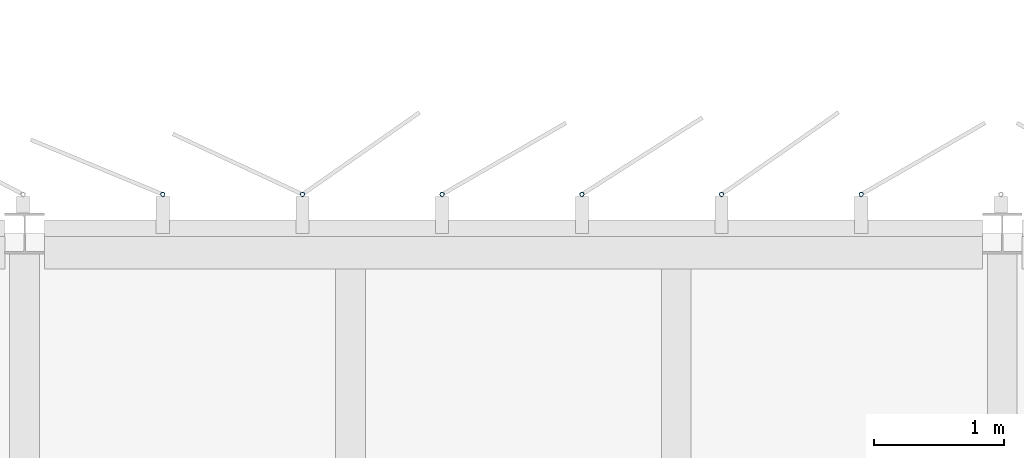
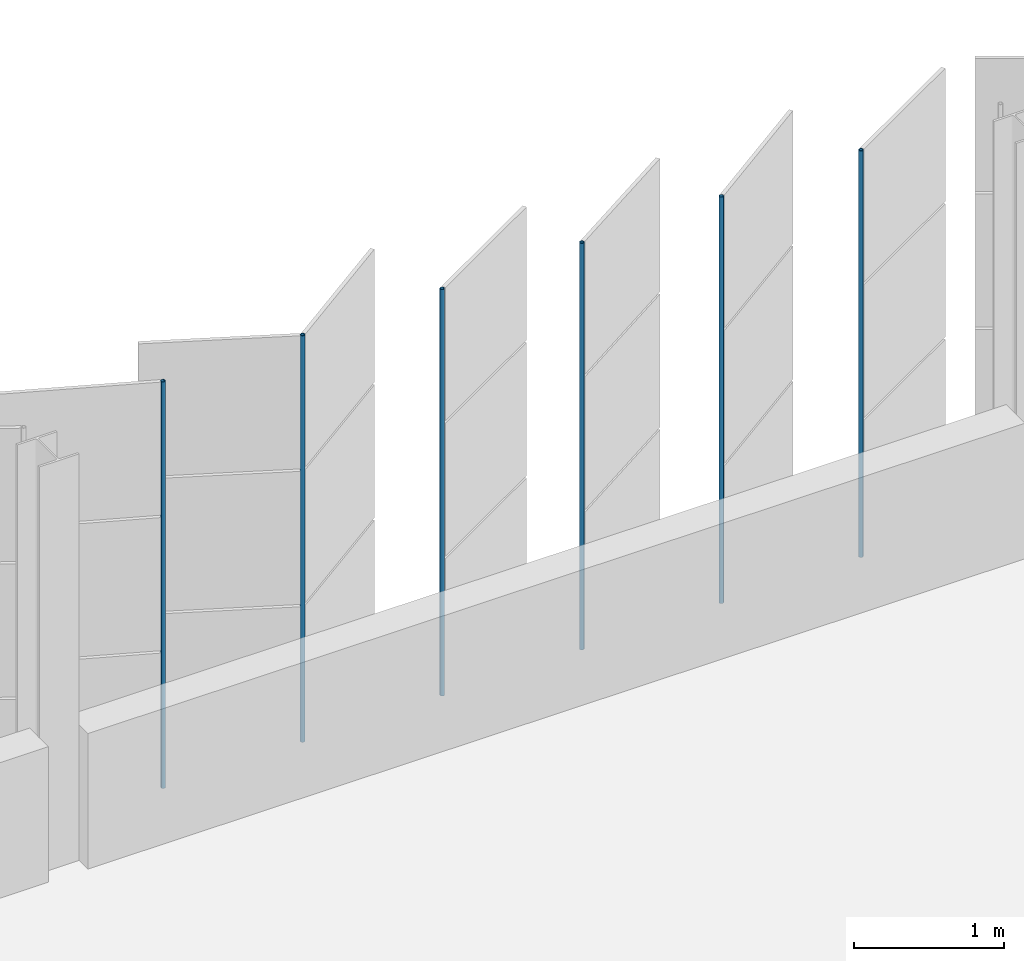
# One storey, part 152 of 214: 6 discrete accessories.
"""IFC4 building model written with IfcOpenShell, lengths in metres."""

import ifcopenshell
import ifcopenshell.guid

model = None  # the IFC model being written
_history = None  # IfcOwnerHistory: only IFC2X3 demands one
_inside = {}  # id of a spatial element -> (the spatial element, [elements in it])
_under = {}  # id of a project, library or spatial element -> (it, [spatial elements below it])
_declared = {}  # id of a project -> (the project, [libraries it declares])
_typed = {}  # id of a type object -> (the type object, [elements of that type])
_made_of = {}  # id of a material, layer set ... -> (it, [elements and type objects made of it])


def new_model(schema):
    """Start an empty IFC model of exactly this schema.

    Asked for "IFC4X3", IfcOpenShell would pick the latest addendum, in which some entities
    have other attributes; the version numbers below select the first issue.
    IFC2X3 requires an IfcOwnerHistory on every rooted entity: one is made here for all.
    """
    global model, _history
    if schema == "IFC4X3":
        model = ifcopenshell.file(schema_version=(4, 3, 0, 0))
    else:
        model = ifcopenshell.file(schema=schema)
    _inside.clear()
    _under.clear()
    _declared.clear()
    _typed.clear()
    _made_of.clear()
    _history = None
    if model.schema == "IFC2X3":
        org = make("IfcOrganization", Name="unknown")
        user = make(
            "IfcPersonAndOrganization",
            ThePerson=make("IfcPerson", FamilyName="unknown"),
            TheOrganization=org,
        )
        app = make(
            "IfcApplication",
            ApplicationDeveloper=org,
            Version="unknown",
            ApplicationFullName="unknown",
            ApplicationIdentifier="unknown",
        )
        _history = make(
            "IfcOwnerHistory",
            OwningUser=user,
            OwningApplication=app,
            ChangeAction="ADDED",
            CreationDate=0,
        )
    return model


def make(cls, **values):
    """One entity of the class cls with the attributes given. An attribute that is None is left unset."""
    return model.create_entity(
        cls, **{name: value for name, value in values.items() if value is not None}
    )


def rooted(cls, **values):
    """An entity with a GlobalId (a new one), such as an element, a storey or a relation."""
    return make(cls, GlobalId=ifcopenshell.guid.new(), OwnerHistory=_history, **values)


def si_unit(unit_type, name, prefix=None):
    """IfcSIUnit, for example si_unit("LENGTHUNIT", "METRE", prefix="MILLI")."""
    return make("IfcSIUnit", UnitType=unit_type, Prefix=prefix, Name=name)


def assignment(units):
    """IfcUnitAssignment: the units of a project."""
    return None if units is None else make("IfcUnitAssignment", Units=units)


def point(xyz):
    """IfcCartesianPoint."""
    return None if xyz is None else make("IfcCartesianPoint", Coordinates=xyz)


def direction(xyz):
    """IfcDirection."""
    return None if xyz is None else make("IfcDirection", DirectionRatios=xyz)


def frame(location, z_axis=None, x_axis=None):
    """IfcAxis2Placement3D, a coordinate frame: its origin and axes. An axis left out is left unset."""
    return make(
        "IfcAxis2Placement3D",
        Location=point(location),
        Axis=direction(z_axis),
        RefDirection=direction(x_axis),
    )


def frame_2d(location, x_axis=None):
    """IfcAxis2Placement2D, a coordinate frame in the plane: its origin and x axis."""
    return make(
        "IfcAxis2Placement2D", Location=point(location), RefDirection=direction(x_axis)
    )


def origin():
    """The frame at (0, 0, 0) with its axes left unset."""
    return frame((0.0, 0.0, 0.0))


def origin_2d():
    """The frame at (0, 0) in the plane with its x axis left unset."""
    return frame_2d((0.0, 0.0))


def place(relative_to, where):
    """IfcLocalPlacement: puts the frame where relative to a parent placement (None: the world)."""
    return make(
        "IfcLocalPlacement", PlacementRelTo=relative_to, RelativePlacement=where
    )


def context(
    kind, dimensions, precision=None, world=None, true_north=None, identifier=None
):
    """IfcGeometricRepresentationContext, for example the 3D "Model" context."""
    return make(
        "IfcGeometricRepresentationContext",
        ContextIdentifier=identifier,
        ContextType=kind,
        CoordinateSpaceDimension=dimensions,
        Precision=precision,
        WorldCoordinateSystem=world,
        TrueNorth=true_north,
    )


def subcontext(parent, identifier, kind, view, scale=None):
    """IfcGeometricRepresentationSubContext, for example "Body" below "Model"."""
    return make(
        "IfcGeometricRepresentationSubContext",
        ContextIdentifier=identifier,
        ContextType=kind,
        ParentContext=parent,
        TargetScale=scale,
        TargetView=view,
    )


def project(units=None, contexts=None):
    """IfcProject with its units and contexts."""
    return rooted(
        "IfcProject",
        Name="project",
        RepresentationContexts=contexts,
        UnitsInContext=assignment(units),
    )


def spatial(cls, under=None, at=None, **own):
    """A site, building, storey or space (cls), placed at a placement, below another one or the project."""
    s = rooted(cls, ObjectPlacement=at, **own)
    if under is not None:
        _under.setdefault(under.id(), (under, []))[1].append(s)
    return s


def profile(cls, at=None, kind="AREA", **sizes):
    """A parametric profile (cls). Its sizes go by their IFC names, for example OverallWidth=200.0."""
    return make(cls, ProfileType=kind, Position=at, **sizes)


def hollow_circle(**sizes):
    """IfcCircleHollowProfileDef."""
    return profile("IfcCircleHollowProfileDef", **sizes)


def extrude(swept, where, along, depth):
    """IfcExtrudedAreaSolid: the profile swept, set in the frame where, extruded along a direction by depth."""
    return make(
        "IfcExtrudedAreaSolid",
        SweptArea=swept,
        Position=where,
        ExtrudedDirection=direction(along),
        Depth=depth,
    )


def shape(context_of_items, identifier, shape_type, items):
    """IfcShapeRepresentation: the items that make up one representation, for example the "Body"."""
    return make(
        "IfcShapeRepresentation",
        ContextOfItems=context_of_items,
        RepresentationIdentifier=identifier,
        RepresentationType=shape_type,
        Items=items,
    )


def material(Name=None, Category=None):
    """IfcMaterial."""
    return make("IfcMaterial", Name=Name, Category=Category)


def material_profile(
    of_material, cross_section, Name=None, Category=None, Priority=None
):
    """IfcMaterialProfile: a cross section and its material."""
    return make(
        "IfcMaterialProfile",
        Name=Name,
        Material=of_material,
        Profile=cross_section,
        Priority=Priority,
        Category=Category,
    )


def profile_set(profiles, Name=None, composite=None):
    """IfcMaterialProfileSet."""
    return make(
        "IfcMaterialProfileSet",
        Name=Name,
        MaterialProfiles=profiles,
        CompositeProfile=composite,
    )


def made_of(thing, what):
    """Note that an element or type object is made of a material, layer set ...; save() writes the relation."""
    if what is not None:
        _made_of.setdefault(what.id(), (what, []))[1].append(thing)
    return thing


def type_object(cls, material=None, **own):
    """A type object (cls), such as IfcWallType, which elements share."""
    return made_of(rooted(cls, **own), material)


def element(
    cls,
    number,
    at=None,
    inside=None,
    cuts=None,
    type_object=None,
    material=None,
    context=None,
    identifier="Body",
    shape_type=None,
    held_by="IfcProductDefinitionShape",
    body=None,
    shapes=None,
    **own,
):
    """One element of the class cls, such as IfcWall. Its Tag is "e" and its number.

    at: its placement. inside: the storey or other place that contains it. cuts: it is an
    opening in that element (IfcRelVoidsElement). A single representation is given by context,
    identifier, shape_type and body (its items); several are given by shapes. held_by: the class
    of the entity that holds the representations. save() writes the other relations.
    """
    e = rooted(cls, Tag="e%d" % number, ObjectPlacement=at, **own)
    if body is not None:
        shapes = [shape(context, identifier, shape_type, body)]
    if shapes is not None:
        e.Representation = make(held_by, Representations=shapes)
    if inside is not None:
        _inside.setdefault(inside.id(), (inside, []))[1].append(e)
    if cuts is not None:
        rooted(
            "IfcRelVoidsElement", RelatingBuildingElement=cuts, RelatedOpeningElement=e
        )
    if type_object is not None:
        _typed.setdefault(type_object.id(), (type_object, []))[1].append(e)
    return made_of(e, material)


def aggregate(whole, parts):
    """IfcRelAggregates: a whole, such as a stair, and the parts it consists of."""
    return rooted("IfcRelAggregates", RelatingObject=whole, RelatedObjects=parts)


def save(model, path):
    """Write the relations noted so far, then the file.

    IfcRelAggregates (storeys below a building ...), IfcRelContainedInSpatialStructure (elements
    in a storey), IfcRelDefinesByType, IfcRelAssociatesMaterial and IfcRelDeclares: one each for
    every whole, place, type object, material and project.
    """
    for whole, parts in _under.values():
        aggregate(whole, parts)
    for where, things in _inside.values():
        rooted(
            "IfcRelContainedInSpatialStructure",
            RelatedElements=things,
            RelatingStructure=where,
        )
    for kind, things in _typed.values():
        rooted("IfcRelDefinesByType", RelatedObjects=things, RelatingType=kind)
    for what, things in _made_of.values():
        rooted("IfcRelAssociatesMaterial", RelatedObjects=things, RelatingMaterial=what)
    for by, libraries in _declared.values():
        rooted("IfcRelDeclares", RelatingContext=by, RelatedDefinitions=libraries)
    model.write(path)


model = new_model("IFC4")

# Units and contexts
model_context = context("Model", 3, precision=1e-05, world=origin(), true_north=direction((0.0, 1.0)))
body_context = subcontext(model_context, "Body", "Model", "MODEL_VIEW")
ifc_project = project(units=[si_unit("LENGTHUNIT", "METRE"), si_unit("AREAUNIT", "SQUARE_METRE"), si_unit("VOLUMEUNIT", "CUBIC_METRE"), si_unit("PLANEANGLEUNIT", "RADIAN"), si_unit("MASSUNIT", "GRAM", prefix="KILO")], contexts=[model_context])

# Site, building, storey
site_placement = place(None, origin())
site = spatial("IfcSite", under=ifc_project, at=site_placement, CompositionType="ELEMENT")
building_placement = place(site_placement, origin())
building = spatial("IfcBuilding", under=site, at=building_placement, Name="Parallax Yard Mobility Hub", CompositionType="ELEMENT")
storey_placement = place(building_placement, frame((0.0, 0.0, 3.300048828125)))
storey = spatial("IfcBuildingStorey", under=building, at=storey_placement, Name="L01", CompositionType="ELEMENT", Elevation=3.300048828125)

# Discrete accessories
ifc_material = material(Name="Steel ASTM A500 Gr C, hot-dip galvanised", Category="steel")
ifc_material_profile = material_profile(ifc_material, hollow_circle(Radius=0.016845703125, WallThickness=0.003173828125, at=origin_2d()), Name="CHS 33.7x3.2")
ifc_profile_set = profile_set([ifc_material_profile], Name="Steel ASTM A500 Gr C, hot-dip galvanised")
discrete_accessory_type = type_object("IfcDiscreteAccessoryType", Name="Hinge post CHS 33.7x3.2", PredefinedType="BRACKET", material=ifc_profile_set)
for number, where, z_axis, x_axis, name in (
    (1, (66.41796875, 142.800048828125, 0.0), (0.0, 0.0, 1.0), (1.0, 0.0, 0.0), "Hinge post bay 65.2 level L01"),
    (2, (65.34619140625, 142.800048828125, 0.0), (0.0, 0.0, 1.0), (1.0, 0.0, 0.0), "Hinge post bay 65.3 level L01"),
    (3, (64.27490234375, 142.800048828125, 0.0), (0.0, 0.0, 1.0), (1.0, 0.0, 0.0), "Hinge post bay 65.4 level L01"),
    (4, (63.203125, 142.800048828125, 0.0), (0.0, 0.0, 1.0), (1.0, 0.0, 0.0), "Hinge post bay 65.5 level L01"),
    (5, (62.131591796875, 142.800048828125, 0.0), (0.0, 0.0, 1.0), (1.0, 0.0, 0.0), "Hinge post bay 65.6 level L01"),
    (6, (61.06005859375, 142.800048828125, 0.0), (0.0, 0.0, 1.0), (1.0, 0.0, 0.0), "Hinge post bay 65.7 level L01"),
):
    element("IfcDiscreteAccessory", number, at=place(storey_placement, frame(where, z_axis=z_axis, x_axis=x_axis)), inside=storey, type_object=discrete_accessory_type, Name=name, PredefinedType="BRACKET", context=body_context, shape_type="SweptSolid", body=[
        extrude(hollow_circle(Radius=0.016845703125, WallThickness=0.003173828125, at=origin_2d()), origin(), (0.0, 0.0, 1.0), 3.300048828125),
    ])

save(model, "model.ifc")
